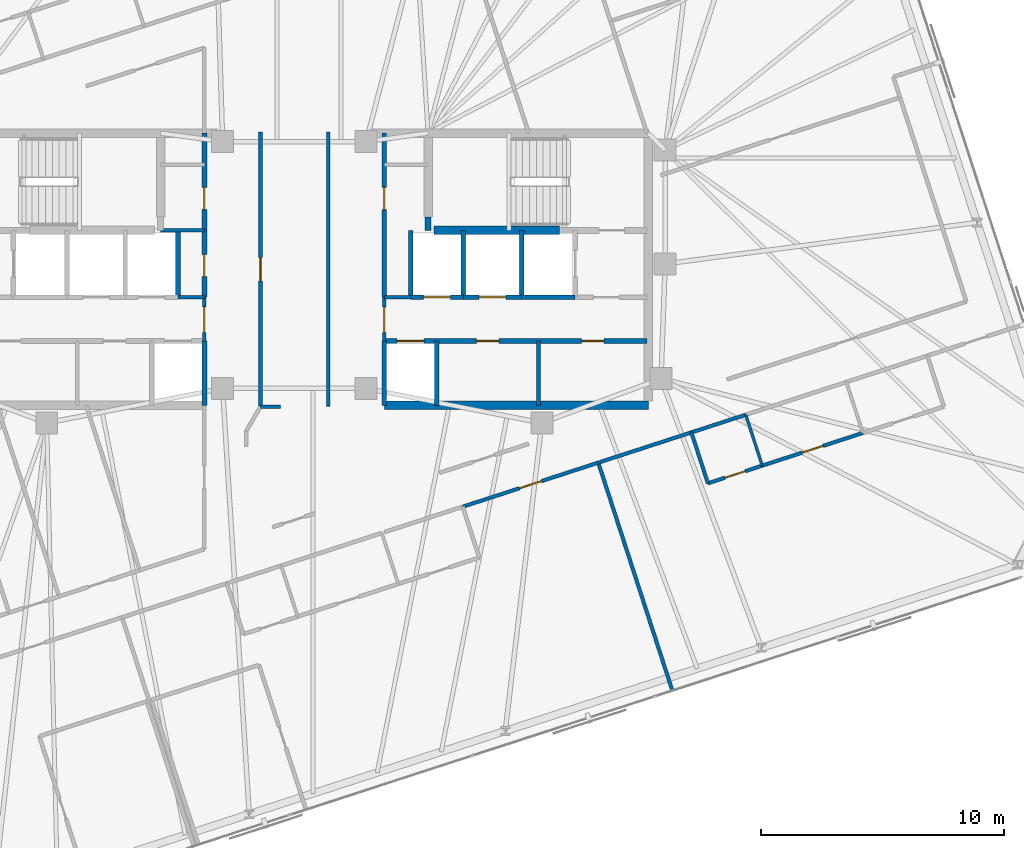
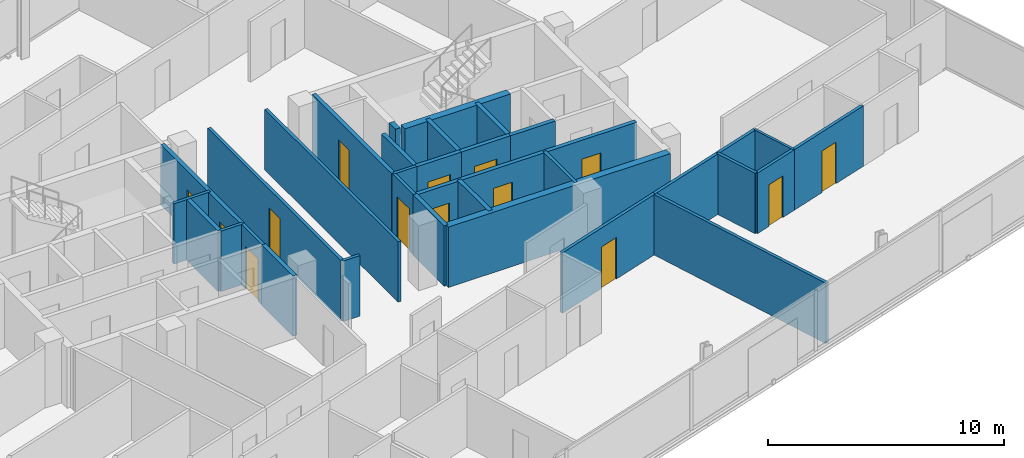
# One storey, part 15 of 20: 33 walls, 14 doors, 14 openings.
"""IFC4 building model written with IfcOpenShell, lengths in metres."""

from ifc_helpers import new_model, si_unit, direction, frame, frame_2d, origin, place, context, subcontext, project, spatial, rectangle, extrude, material, layer, layer_set, type_object, element, fill, save


model = new_model("IFC4")

# Units and contexts
model_context = context("Model", 3, precision=1e-05, world=origin(), true_north=direction((0.0, 1.0)))
body_context = subcontext(model_context, "Body", "Model", "MODEL_VIEW")
ifc_project = project(units=[si_unit("LENGTHUNIT", "METRE"), si_unit("AREAUNIT", "SQUARE_METRE"), si_unit("VOLUMEUNIT", "CUBIC_METRE"), si_unit("PLANEANGLEUNIT", "RADIAN"), si_unit("MASSUNIT", "GRAM", prefix="KILO")], contexts=[model_context])

# Site, building, storey
site_placement = place(None, origin())
site = spatial("IfcSite", under=ifc_project, at=site_placement, CompositionType="ELEMENT")
building_placement = place(site_placement, origin())
building = spatial("IfcBuilding", under=site, at=building_placement, Name="Menara Jurai Vektor", CompositionType="ELEMENT")
storey_placement = place(building_placement, frame((0.0, 0.0, 217.60009765625)))
storey = spatial("IfcBuildingStorey", under=building, at=storey_placement, Name="L57", CompositionType="ELEMENT", Elevation=217.60009765625)

# Walls
ifc_material_1 = material(Name="Concrete C40/50", Category="concrete")
ifc_layer_1 = layer(ifc_material_1, 0.25)
ifc_layer_set_1 = layer_set([ifc_layer_1], Name="Concrete C40/50")
wall_type_1 = type_object("IfcWallType", Name="INT-WALL-CORE-250", PredefinedType="STANDARD", material=ifc_layer_set_1)
wall_1_placement = place(storey_placement, frame((5.5, 1.60009765625, 0.0), z_axis=(0.0, 0.0, 1.0), x_axis=(0.0, 1.0, 0.0)))
element("IfcWall", 1, at=wall_1_placement, inside=storey, type_object=wall_type_1, Name="Interior Wall IW-250 L57", PredefinedType="STANDARD", context=body_context, shape_type="SweptSolid", body=[
    extrude(rectangle(XDim=0.5498046875, YDim=0.25, at=frame_2d((0.27490234375, 0.0))), origin(), (0.0, 0.0, 1.0), 3.125),
])
wall_2_placement = place(storey_placement, frame((9.35009765625, -1.14990234375, 0.0), z_axis=(0.0, 0.0, 1.0), x_axis=(0.0, 1.0, 0.0)))
element("IfcWall", 2, at=wall_2_placement, inside=storey, type_object=wall_type_1, Name="Interior Wall IW-250 L57", PredefinedType="STANDARD", context=body_context, shape_type="SweptSolid", body=[
    extrude(rectangle(XDim=2.75, YDim=0.199951171875, at=frame_2d((1.375, 0.0))), origin(), (0.0, 0.0, 1.0), 3.125),
])
wall_3_placement = place(storey_placement, frame((9.35009765625, -1.14990234375, 0.0), z_axis=(0.0, 0.0, 1.0), x_axis=(1.0, 0.0, 0.0)))
element("IfcWall", 3, at=wall_3_placement, inside=storey, type_object=wall_type_1, Name="Interior Wall IW-250 L57", PredefinedType="STANDARD", context=body_context, shape_type="SweptSolid", body=[
    extrude(rectangle(XDim=2.199951171875, YDim=0.199951171875, at=frame_2d((1.10009765625, 0.0))), origin(), (0.0, 0.0, 1.0), 3.125),
])

# Wall, opening, door
ifc_material_2 = material(Name="Gypsum Fireboard Partition", Category="gypsum")
ifc_layer_2 = layer(ifc_material_2, 0.14990234375)
ifc_layer_set_2 = layer_set([ifc_layer_2], Name="Gypsum Fireboard Partition")
wall_type_2 = type_object("IfcWallType", Name="INT-WALL-CORR-150", PredefinedType="PARTITIONING", material=ifc_layer_set_2)
wall_4_placement = place(storey_placement, frame((-3.699951171875, -2.949951171875, 0.0), z_axis=(0.0, 0.0, 1.0), x_axis=(0.0, 1.0, 0.0)))
wall_4 = element("IfcWall", 4, at=wall_4_placement, inside=storey, type_object=wall_type_2, Name="Interior Wall IW-150 L57", PredefinedType="PARTITIONING", context=body_context, shape_type="SweptSolid", body=[
    extrude(rectangle(XDim=1.800048828125, YDim=0.14990234375, at=frame_2d((0.89990234375, 0.0))), origin(), (0.0, 0.0, 1.0), 3.125),
])
opening_1_placement = place(wall_4_placement, frame((0.35009765625, 0.0, 0.0)))
opening_1 = element("IfcOpeningElement", 5, at=opening_1_placement, cuts=wall_4, Name="Opening D-L57-LLW", PredefinedType="OPENING", context=body_context, shape_type="SweptSolid", body=[
    extrude(rectangle(XDim=1.050048828125, YDim=2.179931640625, at=frame_2d((0.52490234375, 1.08984375))), frame((0.0, 0.0849609375, 0.0), z_axis=(0.0, -1.0, 0.0), x_axis=(1.0, 0.0, 0.0)), (0.0, 0.0, 1.0), 0.169921875),
])
ifc_material_3 = material(Name="Fire-Rated Timber Door", Category="wood")
door_type_1 = type_object("IfcDoorType", Name="DR-LOBBY-1050", OperationType="NOTDEFINED", PredefinedType="DOOR", material=ifc_material_3)
door_1_placement = place(opening_1_placement, origin())
door_1 = element("IfcDoor", 6, at=door_1_placement, inside=storey, type_object=door_type_1, Name="Lift Lobby Corridor Door W L57", OperationType="SINGLE_SWING_LEFT", OverallHeight=2.179931640625, OverallWidth=1.050048828125, PredefinedType="DOOR", context=body_context, shape_type="SweptSolid", body=[
    extrude(rectangle(XDim=1.050048828125, YDim=2.179931640625, at=frame_2d((0.52490234375, 1.08984375))), frame((0.0, 0.02490234375, 0.0), z_axis=(0.0, -1.0, 0.0), x_axis=(1.0, 0.0, 0.0)), (0.0, 0.0, 1.0), 0.050048828125),
])
fill(opening_1, door_1)

# Wall
wall_5_placement = place(storey_placement, frame((-4.7900390625, -1.14990234375, 0.0), z_axis=(0.0, 0.0, 1.0), x_axis=(1.0, 0.0, 0.0)))
element("IfcWall", 7, at=wall_5_placement, inside=storey, type_object=wall_type_2, Name="Interior Wall IW-150 L57", PredefinedType="PARTITIONING", context=body_context, shape_type="SweptSolid", body=[
    extrude(rectangle(XDim=1.090087890625, YDim=0.14990234375, at=frame_2d((0.544921875, 0.0))), origin(), (0.0, 0.0, 1.0), 3.125),
])

# Wall, opening, door
wall_6_placement = place(storey_placement, frame((3.699951171875, -2.949951171875, 0.0), z_axis=(0.0, 0.0, 1.0), x_axis=(0.0, 1.0, 0.0)))
wall_6 = element("IfcWall", 8, at=wall_6_placement, inside=storey, type_object=wall_type_2, Name="Interior Wall IW-150 L57", PredefinedType="PARTITIONING", context=body_context, shape_type="SweptSolid", body=[
    extrude(rectangle(XDim=1.800048828125, YDim=0.14990234375, at=frame_2d((0.89990234375, 0.0))), origin(), (0.0, 0.0, 1.0), 3.125),
])
opening_2_placement = place(wall_6_placement, frame((0.35009765625, 0.0, 0.0)))
opening_2 = element("IfcOpeningElement", 9, at=opening_2_placement, cuts=wall_6, Name="Opening D-L57-LLE", PredefinedType="OPENING", context=body_context, shape_type="SweptSolid", body=[
    extrude(rectangle(XDim=1.050048828125, YDim=2.179931640625, at=frame_2d((0.52490234375, 1.08984375))), frame((0.0, 0.0849609375, 0.0), z_axis=(0.0, -1.0, 0.0), x_axis=(1.0, 0.0, 0.0)), (0.0, 0.0, 1.0), 0.169921875),
])
door_2_placement = place(opening_2_placement, frame((1.050048828125, 0.0, 0.0), z_axis=(0.0, 0.0, 1.0), x_axis=(-1.0, 0.0, 0.0)))
door_2 = element("IfcDoor", 10, at=door_2_placement, inside=storey, type_object=door_type_1, Name="Lift Lobby Corridor Door E L57", OperationType="SINGLE_SWING_RIGHT", OverallHeight=2.179931640625, OverallWidth=1.050048828125, PredefinedType="DOOR", context=body_context, shape_type="SweptSolid", body=[
    extrude(rectangle(XDim=1.050048828125, YDim=2.179931640625, at=frame_2d((0.52490234375, 1.08984375))), frame((0.0, 0.02490234375, 0.0), z_axis=(0.0, -1.0, 0.0), x_axis=(1.0, 0.0, 0.0)), (0.0, 0.0, 1.0), 0.050048828125),
])
fill(opening_2, door_2)

# Walls
wall_7_placement = place(storey_placement, frame((3.699951171875, -1.14990234375, 0.0), z_axis=(0.0, 0.0, 1.0), x_axis=(1.0, 0.0, 0.0)))
element("IfcWall", 11, at=wall_7_placement, inside=storey, type_object=wall_type_2, Name="Interior Wall IW-150 L57", PredefinedType="PARTITIONING", context=body_context, shape_type="SweptSolid", body=[
    extrude(rectangle(XDim=1.090087890625, YDim=0.14990234375, at=frame_2d((0.544921875, 0.0))), origin(), (0.0, 0.0, 1.0), 3.125),
])
wall_8_placement = place(storey_placement, frame((-5.5, 1.60009765625, 0.0), z_axis=(0.0, 0.0, 1.0), x_axis=(1.0, 0.0, 0.0)))
element("IfcWall", 12, at=wall_8_placement, inside=storey, type_object=wall_type_2, Name="Interior Wall IW-150 L57", PredefinedType="PARTITIONING", context=body_context, shape_type="SweptSolid", body=[
    extrude(rectangle(XDim=1.800048828125, YDim=0.14990234375, at=frame_2d((0.89990234375, 0.0))), origin(), (0.0, 0.0, 1.0), 3.125),
])
wall_9_placement = place(storey_placement, frame((10.0400390625, -5.60009765625, 0.0), z_axis=(0.0, 0.0, 1.0), x_axis=(0.0, 1.0, 0.0)))
element("IfcWall", 13, at=wall_9_placement, inside=storey, type_object=wall_type_2, Name="Interior Wall IW-150 L57", PredefinedType="PARTITIONING", context=body_context, shape_type="SweptSolid", body=[
    extrude(rectangle(XDim=2.650146484375, YDim=0.14990234375, at=frame_2d((1.3251953125, 0.0))), origin(), (0.0, 0.0, 1.0), 3.125),
])

# Wall, opening, door
wall_10_placement = place(storey_placement, frame((-1.390625, -5.650146484375, 0.0), z_axis=(0.0, 0.0, 1.0), x_axis=(-8.6422954e-05, 0.999999996266, 0.0)))
wall_10 = element("IfcWall", 14, at=wall_10_placement, inside=storey, type_object=wall_type_2, Name="Interior Wall IW-150 L57", PredefinedType="PARTITIONING", context=body_context, shape_type="SweptSolid", body=[
    extrude(rectangle(XDim=11.2998046875, YDim=0.14990234375, at=frame_2d((5.64990234375, 0.0))), origin(), (0.0, 0.0, 1.0), 3.125),
])
opening_3_placement = place(wall_10_placement, frame((5.1748046875, 0.0, 0.0)))
opening_3 = element("IfcOpeningElement", 15, at=opening_3_placement, cuts=wall_10, Name="Opening D57-08", PredefinedType="OPENING", context=body_context, shape_type="SweptSolid", body=[
    extrude(rectangle(XDim=0.949951171875, YDim=2.14990234375, at=frame_2d((0.47509765625, 1.074951171875))), frame((0.0, 0.0849609375, 0.0), z_axis=(0.0, -1.0, 0.0), x_axis=(1.0, 0.0, 0.0)), (0.0, 0.0, 1.0), 0.169921875),
])
ifc_material_4 = material(Name="Solid Core Timber Fire Door", Category="wood")
door_type_2 = type_object("IfcDoorType", Name="DR-ENTRY-950", OperationType="NOTDEFINED", PredefinedType="DOOR", material=ifc_material_4)
door_3_placement = place(opening_3_placement, origin())
door_3 = element("IfcDoor", 16, at=door_3_placement, inside=storey, type_object=door_type_2, Name="Interior Door D57-08", OperationType="SINGLE_SWING_LEFT", OverallHeight=2.14990234375, OverallWidth=0.949951171875, PredefinedType="DOOR", context=body_context, shape_type="SweptSolid", body=[
    extrude(rectangle(XDim=0.949951171875, YDim=2.14990234375, at=frame_2d((0.47509765625, 1.074951171875))), frame((0.0, 0.02490234375, 0.0), z_axis=(0.0, -1.0, 0.0), x_axis=(1.0, 0.0, 0.0)), (0.0, 0.0, 1.0), 0.050048828125),
])
fill(opening_3, door_3)

# Wall
wall_11_placement = place(storey_placement, frame((1.39111328125, -5.6484375, 0.0), z_axis=(0.0, 0.0, 1.0), x_axis=(-4.3218947e-05, 0.999999999066, 0.0)))
element("IfcWall", 17, at=wall_11_placement, inside=storey, type_object=wall_type_2, Name="Interior Wall IW-150 L57", PredefinedType="PARTITIONING", context=body_context, shape_type="SweptSolid", body=[
    extrude(rectangle(XDim=11.2978515625, YDim=0.14990234375, at=frame_2d((5.64892578125, 0.0))), origin(), (0.0, 0.0, 1.0), 3.125),
])

# Wall, opening, door
wall_12_placement = place(storey_placement, frame((6.92578125, -9.7646484375, 0.0), z_axis=(0.0, 0.0, 1.0), x_axis=(0.951054878391, 0.30902203528, 0.0)))
wall_12 = element("IfcWall", 18, at=wall_12_placement, inside=storey, type_object=wall_type_2, Name="Interior Wall IW-150 L57", PredefinedType="PARTITIONING", context=body_context, shape_type="SweptSolid", body=[
    extrude(rectangle(XDim=5.862060546875, YDim=0.14990234375, at=frame_2d((2.93115234375, 0.0))), origin(), (0.0, 0.0, 1.0), 3.125),
])
opening_4_placement = place(wall_12_placement, frame((2.4560546875, 0.0, 0.0)))
opening_4 = element("IfcOpeningElement", 19, at=opening_4_placement, cuts=wall_12, Name="Opening D57-29", PredefinedType="OPENING", context=body_context, shape_type="SweptSolid", body=[
    extrude(rectangle(XDim=0.949951171875, YDim=2.14990234375, at=frame_2d((0.47509765625, 1.074951171875))), frame((0.0, 0.0849609375, 0.0), z_axis=(0.0, -1.0, 0.0), x_axis=(1.0, 0.0, 0.0)), (0.0, 0.0, 1.0), 0.169921875),
])
door_4_placement = place(opening_4_placement, origin())
door_4 = element("IfcDoor", 20, at=door_4_placement, inside=storey, type_object=door_type_2, Name="Interior Door D57-29", OperationType="SINGLE_SWING_RIGHT", OverallHeight=2.14990234375, OverallWidth=0.949951171875, PredefinedType="DOOR", context=body_context, shape_type="SweptSolid", body=[
    extrude(rectangle(XDim=0.949951171875, YDim=2.14990234375, at=frame_2d((0.47509765625, 1.074951171875))), frame((0.0, 0.02490234375, 0.0), z_axis=(0.0, -1.0, 0.0), x_axis=(1.0, 0.0, 0.0)), (0.0, 0.0, 1.0), 0.050048828125),
])
fill(opening_4, door_4)

# Walls
wall_13_placement = place(storey_placement, frame((12.5009765625, -7.953125, 0.0), z_axis=(0.0, 0.0, 1.0), x_axis=(0.951046103464, 0.309049039936, 0.0)))
element("IfcWall", 21, at=wall_13_placement, inside=storey, type_object=wall_type_2, Name="Interior Wall IW-150 L57", PredefinedType="PARTITIONING", context=body_context, shape_type="SweptSolid", body=[
    extrude(rectangle(XDim=4.02490234375, YDim=0.14990234375, at=frame_2d((2.012451171875, 0.0))), origin(), (0.0, 0.0, 1.0), 3.125),
])
wall_14_placement = place(storey_placement, frame((16.328857421875, -6.709228515625, 0.0), z_axis=(0.0, 0.0, 1.0), x_axis=(0.951076048914, 0.308956872689, 0.0)))
element("IfcWall", 22, at=wall_14_placement, inside=storey, type_object=wall_type_2, Name="Interior Wall IW-150 L57", PredefinedType="PARTITIONING", context=body_context, shape_type="SweptSolid", body=[
    extrude(rectangle(XDim=2.35009765625, YDim=0.14990234375, at=frame_2d((1.175048828125, 0.0))), origin(), (0.0, 0.0, 1.0), 3.125),
])
wall_15_placement = place(storey_placement, frame((-1.390625, -5.650146484375, 0.0), z_axis=(0.0, 0.0, 1.0), x_axis=(0.999999954883, 0.000300390494, 0.0)))
element("IfcWall", 23, at=wall_15_placement, inside=storey, type_object=wall_type_2, Name="Interior Wall IW-150 L57", PredefinedType="PARTITIONING", context=body_context, shape_type="SweptSolid", body=[
    extrude(rectangle(XDim=0.812744140625, YDim=0.14990234375, at=frame_2d((0.40625, 0.0))), origin(), (0.0, 0.0, 1.0), 3.125),
])
wall_16_placement = place(storey_placement, frame((15.54833984375, -17.33251953125, 0.0), z_axis=(0.0, 0.0, 1.0), x_axis=(-0.308999867152, 0.951062081097, 0.0)))
element("IfcWall", 24, at=wall_16_placement, inside=storey, type_object=wall_type_2, Name="Interior Wall IW-150 L57", PredefinedType="PARTITIONING", context=body_context, shape_type="SweptSolid", body=[
    extrude(rectangle(XDim=9.862060546875, YDim=0.14990234375, at=frame_2d((4.93115234375, 0.0))), origin(), (0.0, 0.0, 1.0), 3.125),
])
wall_17_placement = place(storey_placement, frame((17.0087890625, -8.8017578125, 0.0), z_axis=(0.0, 0.0, 1.0), x_axis=(-0.309028364152, 0.951052821956, 0.0)))
element("IfcWall", 25, at=wall_17_placement, inside=storey, type_object=wall_type_2, Name="Interior Wall IW-150 L57", PredefinedType="PARTITIONING", context=body_context, shape_type="SweptSolid", body=[
    extrude(rectangle(XDim=2.2001953125, YDim=0.14990234375, at=frame_2d((1.10009765625, 0.0))), origin(), (0.0, 0.0, 1.0), 3.125),
])

# Wall, opening, door
wall_18_placement = place(storey_placement, frame((17.0087890625, -8.8017578125, 0.0), z_axis=(0.0, 0.0, 1.0), x_axis=(0.951035595692, 0.309081373955, 0.0)))
wall_18 = element("IfcWall", 26, at=wall_18_placement, inside=storey, type_object=wall_type_2, Name="Interior Wall IW-150 L57", PredefinedType="PARTITIONING", context=body_context, shape_type="SweptSolid", body=[
    extrude(rectangle(XDim=2.349853515625, YDim=0.14990234375, at=frame_2d((1.1748046875, 0.0))), origin(), (0.0, 0.0, 1.0), 3.125),
])
opening_5_placement = place(wall_18_placement, frame((0.735107421875, 0.0, 0.0)))
opening_5 = element("IfcOpeningElement", 27, at=opening_5_placement, cuts=wall_18, Name="Opening D57-35", PredefinedType="OPENING", context=body_context, shape_type="SweptSolid", body=[
    extrude(rectangle(XDim=0.8798828125, YDim=2.14990234375, at=frame_2d((0.43994140625, 1.074951171875))), frame((0.0, 0.0849609375, 0.0), z_axis=(0.0, -1.0, 0.0), x_axis=(1.0, 0.0, 0.0)), (0.0, 0.0, 1.0), 0.169921875),
])
ifc_material_5 = material(Name="Moisture-Resistant Timber Door", Category="wood")
door_type_3 = type_object("IfcDoorType", Name="DR-BATH-880", OperationType="NOTDEFINED", PredefinedType="DOOR", material=ifc_material_5)
door_5_placement = place(opening_5_placement, origin())
door_5 = element("IfcDoor", 28, at=door_5_placement, inside=storey, type_object=door_type_3, Name="Interior Door D57-35", OperationType="SINGLE_SWING_RIGHT", OverallHeight=2.14990234375, OverallWidth=0.8798828125, PredefinedType="DOOR", context=body_context, shape_type="SweptSolid", body=[
    extrude(rectangle(XDim=0.8798828125, YDim=2.14990234375, at=frame_2d((0.43994140625, 1.074951171875))), frame((0.0, 0.02490234375, 0.0), z_axis=(0.0, -1.0, 0.0), x_axis=(1.0, 0.0, 0.0)), (0.0, 0.0, 1.0), 0.050048828125),
])
fill(opening_5, door_5)

wall_19_placement = place(storey_placement, frame((19.24365234375, -8.075439453125, 0.0), z_axis=(0.0, 0.0, 1.0), x_axis=(0.951057987102, 0.309012467661, 0.0)))
wall_19 = element("IfcWall", 29, at=wall_19_placement, inside=storey, type_object=wall_type_2, Name="Interior Wall IW-150 L57", PredefinedType="PARTITIONING", context=body_context, shape_type="SweptSolid", body=[
    extrude(rectangle(XDim=4.35009765625, YDim=0.14990234375, at=frame_2d((2.175048828125, 0.0))), origin(), (0.0, 0.0, 1.0), 3.125),
])
opening_6_placement = place(wall_19_placement, frame((1.72509765625, 0.0, 0.0)))
opening_6 = element("IfcOpeningElement", 30, at=opening_6_placement, cuts=wall_19, Name="Opening D57-36", PredefinedType="OPENING", context=body_context, shape_type="SweptSolid", body=[
    extrude(rectangle(XDim=0.89990234375, YDim=2.14990234375, at=frame_2d((0.449951171875, 1.074951171875))), frame((0.0, 0.0849609375, 0.0), z_axis=(0.0, -1.0, 0.0), x_axis=(1.0, 0.0, 0.0)), (0.0, 0.0, 1.0), 0.169921875),
])
ifc_material_6 = material(Name="Acoustic Timber Interior Door", Category="wood")
door_type_4 = type_object("IfcDoorType", Name="DR-ROOM-900", OperationType="NOTDEFINED", PredefinedType="DOOR", material=ifc_material_6)
door_6_placement = place(opening_6_placement, origin())
door_6 = element("IfcDoor", 31, at=door_6_placement, inside=storey, type_object=door_type_4, Name="Interior Door D57-36", OperationType="SINGLE_SWING_LEFT", OverallHeight=2.14990234375, OverallWidth=0.89990234375, PredefinedType="DOOR", context=body_context, shape_type="SweptSolid", body=[
    extrude(rectangle(XDim=0.89990234375, YDim=2.14990234375, at=frame_2d((0.449951171875, 1.074951171875))), frame((0.0, 0.02490234375, 0.0), z_axis=(0.0, -1.0, 0.0), x_axis=(1.0, 0.0, 0.0)), (0.0, 0.0, 1.0), 0.050048828125),
])
fill(opening_6, door_6)

# Wall
ifc_material_7 = material(Name="Gypsum Acoustic Stud Partition", Category="gypsum")
ifc_layer_3 = layer(ifc_material_7, 0.1201171875)
ifc_layer_set_3 = layer_set([ifc_layer_3], Name="Gypsum Acoustic Stud Partition")
wall_type_3 = type_object("IfcWallType", Name="INT-WALL-PART-120", PredefinedType="PARTITIONING", material=ifc_layer_set_3)
wall_20_placement = place(storey_placement, frame((19.24365234375, -8.075439453125, 0.0), z_axis=(0.0, 0.0, 1.0), x_axis=(-0.308960600764, 0.951074837842, 0.0)))
element("IfcWall", 32, at=wall_20_placement, inside=storey, type_object=wall_type_3, Name="Interior Wall IW-120 L57", PredefinedType="PARTITIONING", context=body_context, shape_type="SweptSolid", body=[
    extrude(rectangle(XDim=2.199951171875, YDim=0.1201171875, at=frame_2d((1.10009765625, 0.0))), origin(), (0.0, 0.0, 1.0), 3.125),
])

# Wall, openings, doors
ifc_layer_4 = layer(ifc_material_1, 0.199951171875)
ifc_layer_set_4 = layer_set([ifc_layer_4], Name="Concrete C40/50")
wall_type_4 = type_object("IfcWallType", Name="INT-WALL-SHAFT-200", PredefinedType="STANDARD", material=ifc_layer_set_4)
wall_21_placement = place(storey_placement, frame((-3.699951171875, -1.14990234375, 0.0), z_axis=(0.0, 0.0, 1.0), x_axis=(0.0, 1.0, 0.0)))
wall_21 = element("IfcWall", 33, at=wall_21_placement, inside=storey, type_object=wall_type_4, Name="Interior Wall IW-200 L57", PredefinedType="STANDARD", context=body_context, shape_type="SweptSolid", body=[
    extrude(rectangle(XDim=6.75, YDim=0.199951171875, at=frame_2d((3.375, 0.0))), origin(), (0.0, 0.0, 1.0), 3.125),
])
opening_7_placement = place(wall_21_placement, frame((3.60009765625, 0.0, 0.0)))
opening_7 = element("IfcOpeningElement", 34, at=opening_7_placement, cuts=wall_21, Name="Opening D57-03", PredefinedType="OPENING", context=body_context, shape_type="SweptSolid", body=[
    extrude(rectangle(XDim=0.919921875, YDim=2.14990234375, at=frame_2d((0.4599609375, 1.074951171875))), frame((0.0, 0.10986328125, 0.0), z_axis=(0.0, -1.0, 0.0), x_axis=(1.0, 0.0, 0.0)), (0.0, 0.0, 1.0), 0.219970703125),
])
opening_8_placement = place(wall_21_placement, frame((0.85009765625, 0.0, 0.0)))
opening_8 = element("IfcOpeningElement", 35, at=opening_8_placement, cuts=wall_21, Name="Opening D57-04", PredefinedType="OPENING", context=body_context, shape_type="SweptSolid", body=[
    extrude(rectangle(XDim=0.89990234375, YDim=2.14990234375, at=frame_2d((0.449951171875, 1.074951171875))), frame((0.0, 0.10986328125, 0.0), z_axis=(0.0, -1.0, 0.0), x_axis=(1.0, 0.0, 0.0)), (0.0, 0.0, 1.0), 0.219970703125),
])
door_7_placement = place(opening_7_placement, origin())
door_7 = element("IfcDoor", 36, at=door_7_placement, inside=storey, type_object=door_type_2, Name="Interior Door D57-03", OperationType="SINGLE_SWING_LEFT", OverallHeight=2.14990234375, OverallWidth=0.919921875, PredefinedType="DOOR", context=body_context, shape_type="SweptSolid", body=[
    extrude(rectangle(XDim=0.919921875, YDim=2.14990234375, at=frame_2d((0.4599609375, 1.074951171875))), frame((0.0, 0.02490234375, 0.0), z_axis=(0.0, -1.0, 0.0), x_axis=(1.0, 0.0, 0.0)), (0.0, 0.0, 1.0), 0.050048828125),
])
fill(opening_7, door_7)
door_8_placement = place(opening_8_placement, origin())
door_8 = element("IfcDoor", 37, at=door_8_placement, inside=storey, type_object=door_type_2, Name="Interior Door D57-04", OperationType="SINGLE_SWING_LEFT", OverallHeight=2.14990234375, OverallWidth=0.89990234375, PredefinedType="DOOR", context=body_context, shape_type="SweptSolid", body=[
    extrude(rectangle(XDim=0.89990234375, YDim=2.14990234375, at=frame_2d((0.449951171875, 1.074951171875))), frame((0.0, 0.02490234375, 0.0), z_axis=(0.0, -1.0, 0.0), x_axis=(1.0, 0.0, 0.0)), (0.0, 0.0, 1.0), 0.050048828125),
])
fill(opening_8, door_8)

# Walls
wall_22_placement = place(storey_placement, frame((-3.699951171875, -5.60009765625, 0.0), z_axis=(0.0, 0.0, 1.0), x_axis=(0.0, 1.0, 0.0)))
element("IfcWall", 38, at=wall_22_placement, inside=storey, type_object=wall_type_4, Name="Interior Wall IW-200 L57", PredefinedType="STANDARD", context=body_context, shape_type="SweptSolid", body=[
    extrude(rectangle(XDim=2.650146484375, YDim=0.199951171875, at=frame_2d((1.3251953125, 0.0))), origin(), (0.0, 0.0, 1.0), 3.125),
])
wall_23_placement = place(storey_placement, frame((-4.7900390625, -1.14990234375, 0.0), z_axis=(0.0, 0.0, 1.0), x_axis=(0.0, 1.0, 0.0)))
element("IfcWall", 39, at=wall_23_placement, inside=storey, type_object=wall_type_4, Name="Interior Wall IW-200 L57", PredefinedType="STANDARD", context=body_context, shape_type="SweptSolid", body=[
    extrude(rectangle(XDim=2.75, YDim=0.199951171875, at=frame_2d((1.375, 0.0))), origin(), (0.0, 0.0, 1.0), 3.125),
])

# Wall, opening, door
wall_24_placement = place(storey_placement, frame((3.699951171875, -1.14990234375, 0.0), z_axis=(0.0, 0.0, 1.0), x_axis=(0.0, 1.0, 0.0)))
wall_24 = element("IfcWall", 40, at=wall_24_placement, inside=storey, type_object=wall_type_4, Name="Interior Wall IW-200 L57", PredefinedType="STANDARD", context=body_context, shape_type="SweptSolid", body=[
    extrude(rectangle(XDim=6.75, YDim=0.199951171875, at=frame_2d((3.375, 0.0))), origin(), (0.0, 0.0, 1.0), 3.125),
])
opening_9_placement = place(wall_24_placement, frame((3.60009765625, 0.0, 0.0)))
opening_9 = element("IfcOpeningElement", 41, at=opening_9_placement, cuts=wall_24, Name="Opening D57-07", PredefinedType="OPENING", context=body_context, shape_type="SweptSolid", body=[
    extrude(rectangle(XDim=0.919921875, YDim=2.14990234375, at=frame_2d((0.4599609375, 1.074951171875))), frame((0.0, 0.10986328125, 0.0), z_axis=(0.0, -1.0, 0.0), x_axis=(1.0, 0.0, 0.0)), (0.0, 0.0, 1.0), 0.219970703125),
])
door_9_placement = place(opening_9_placement, origin())
door_9 = element("IfcDoor", 42, at=door_9_placement, inside=storey, type_object=door_type_2, Name="Interior Door D57-07", OperationType="SINGLE_SWING_RIGHT", OverallHeight=2.14990234375, OverallWidth=0.919921875, PredefinedType="DOOR", context=body_context, shape_type="SweptSolid", body=[
    extrude(rectangle(XDim=0.919921875, YDim=2.14990234375, at=frame_2d((0.4599609375, 1.074951171875))), frame((0.0, 0.02490234375, 0.0), z_axis=(0.0, -1.0, 0.0), x_axis=(1.0, 0.0, 0.0)), (0.0, 0.0, 1.0), 0.050048828125),
])
fill(opening_9, door_9)

# Walls
wall_25_placement = place(storey_placement, frame((3.699951171875, -5.60009765625, 0.0), z_axis=(0.0, 0.0, 1.0), x_axis=(0.0, 1.0, 0.0)))
element("IfcWall", 43, at=wall_25_placement, inside=storey, type_object=wall_type_4, Name="Interior Wall IW-200 L57", PredefinedType="STANDARD", context=body_context, shape_type="SweptSolid", body=[
    extrude(rectangle(XDim=2.650146484375, YDim=0.199951171875, at=frame_2d((1.3251953125, 0.0))), origin(), (0.0, 0.0, 1.0), 3.125),
])
wall_26_placement = place(storey_placement, frame((6.949951171875, -1.14990234375, 0.0), z_axis=(0.0, 0.0, 1.0), x_axis=(0.0, 1.0, 0.0)))
element("IfcWall", 44, at=wall_26_placement, inside=storey, type_object=wall_type_4, Name="Interior Wall IW-200 L57", PredefinedType="STANDARD", context=body_context, shape_type="SweptSolid", body=[
    extrude(rectangle(XDim=2.75, YDim=0.199951171875, at=frame_2d((1.375, 0.0))), origin(), (0.0, 0.0, 1.0), 3.125),
])

# Wall, opening, door
wall_27_placement = place(storey_placement, frame((6.949951171875, -1.14990234375, 0.0), z_axis=(0.0, 0.0, 1.0), x_axis=(1.0, 0.0, 0.0)))
wall_27 = element("IfcWall", 45, at=wall_27_placement, inside=storey, type_object=wall_type_4, Name="Interior Wall IW-200 L57", PredefinedType="STANDARD", context=body_context, shape_type="SweptSolid", body=[
    extrude(rectangle(XDim=2.400146484375, YDim=0.199951171875, at=frame_2d((1.2001953125, 0.0))), origin(), (0.0, 0.0, 1.0), 3.125),
])
opening_10_placement = place(wall_27_placement, frame((0.64990234375, 0.0, 0.0)))
opening_10 = element("IfcOpeningElement", 46, at=opening_10_placement, cuts=wall_27, Name="Opening LD-L57-SVL2", PredefinedType="OPENING", context=body_context, shape_type="SweptSolid", body=[
    extrude(rectangle(XDim=1.10009765625, YDim=2.14990234375, at=frame_2d((0.550048828125, 1.074951171875))), frame((0.0, 0.10986328125, 0.0), z_axis=(0.0, -1.0, 0.0), x_axis=(1.0, 0.0, 0.0)), (0.0, 0.0, 1.0), 0.219970703125),
])
ifc_material_8 = material(Name="Anodised Stainless Sliding Lift Landing Door", Category="steel")
door_type_5 = type_object("IfcDoorType", Name="DR-LIFT-PASS-1100", OperationType="NOTDEFINED", PredefinedType="DOOR", material=ifc_material_8)
door_10_placement = place(opening_10_placement, origin())
door_10 = element("IfcDoor", 47, at=door_10_placement, inside=storey, type_object=door_type_5, Name="Lift Landing Door SVL2 L57", OperationType="SLIDING_TO_RIGHT", OverallHeight=2.14990234375, OverallWidth=1.10009765625, PredefinedType="DOOR", context=body_context, shape_type="SweptSolid", body=[
    extrude(rectangle(XDim=1.10009765625, YDim=2.14990234375, at=frame_2d((0.550048828125, 1.074951171875))), frame((0.0, 0.02490234375, 0.0), z_axis=(0.0, -1.0, 0.0), x_axis=(1.0, 0.0, 0.0)), (0.0, 0.0, 1.0), 0.050048828125),
])
fill(opening_10, door_10)

# Wall
wall_28_placement = place(storey_placement, frame((4.7900390625, -1.14990234375, 0.0), z_axis=(0.0, 0.0, 1.0), x_axis=(0.0, 1.0, 0.0)))
element("IfcWall", 48, at=wall_28_placement, inside=storey, type_object=wall_type_4, Name="Interior Wall IW-200 L57", PredefinedType="STANDARD", context=body_context, shape_type="SweptSolid", body=[
    extrude(rectangle(XDim=2.75, YDim=0.199951171875, at=frame_2d((1.375, 0.0))), origin(), (0.0, 0.0, 1.0), 3.125),
])

# Wall, opening, door
wall_29_placement = place(storey_placement, frame((4.7900390625, -1.14990234375, 0.0), z_axis=(0.0, 0.0, 1.0), x_axis=(1.0, 0.0, 0.0)))
wall_29 = element("IfcWall", 49, at=wall_29_placement, inside=storey, type_object=wall_type_4, Name="Interior Wall IW-200 L57", PredefinedType="STANDARD", context=body_context, shape_type="SweptSolid", body=[
    extrude(rectangle(XDim=2.159912109375, YDim=0.199951171875, at=frame_2d((1.080078125, 0.0))), origin(), (0.0, 0.0, 1.0), 3.125),
])
opening_11_placement = place(wall_29_placement, frame((0.530029296875, 0.0, 0.0)))
opening_11 = element("IfcOpeningElement", 50, at=opening_11_placement, cuts=wall_29, Name="Opening LD-L57-PH4", PredefinedType="OPENING", context=body_context, shape_type="SweptSolid", body=[
    extrude(rectangle(XDim=1.10009765625, YDim=2.14990234375, at=frame_2d((0.550048828125, 1.074951171875))), frame((0.0, 0.10986328125, 0.0), z_axis=(0.0, -1.0, 0.0), x_axis=(1.0, 0.0, 0.0)), (0.0, 0.0, 1.0), 0.219970703125),
])
door_11_placement = place(opening_11_placement, origin())
door_11 = element("IfcDoor", 51, at=door_11_placement, inside=storey, type_object=door_type_5, Name="Lift Landing Door PH4 L57", OperationType="SLIDING_TO_LEFT", OverallHeight=2.14990234375, OverallWidth=1.10009765625, PredefinedType="DOOR", context=body_context, shape_type="SweptSolid", body=[
    extrude(rectangle(XDim=1.10009765625, YDim=2.14990234375, at=frame_2d((0.550048828125, 1.074951171875))), frame((0.0, 0.02490234375, 0.0), z_axis=(0.0, -1.0, 0.0), x_axis=(1.0, 0.0, 0.0)), (0.0, 0.0, 1.0), 0.050048828125),
])
fill(opening_11, door_11)

# Wall, openings, doors
wall_30_placement = place(storey_placement, frame((3.699951171875, -2.949951171875, 0.0), z_axis=(0.0, 0.0, 1.0), x_axis=(1.0, 0.0, 0.0)))
wall_30 = element("IfcWall", 52, at=wall_30_placement, inside=storey, type_object=wall_type_4, Name="Interior Wall IW-200 L57", PredefinedType="STANDARD", context=body_context, shape_type="SweptSolid", body=[
    extrude(rectangle(XDim=10.800048828125, YDim=0.199951171875, at=frame_2d((5.39990234375, 0.0))), origin(), (0.0, 0.0, 1.0), 3.125),
])
opening_12_placement = place(wall_30_placement, frame((0.530029296875, 0.0, 0.0)))
opening_12 = element("IfcOpeningElement", 53, at=opening_12_placement, cuts=wall_30, Name="Opening LD-L57-PH3", PredefinedType="OPENING", context=body_context, shape_type="SweptSolid", body=[
    extrude(rectangle(XDim=1.10009765625, YDim=2.14990234375, at=frame_2d((0.550048828125, 1.074951171875))), frame((0.0, 0.10986328125, 0.0), z_axis=(0.0, -1.0, 0.0), x_axis=(1.0, 0.0, 0.0)), (0.0, 0.0, 1.0), 0.219970703125),
])
opening_13_placement = place(wall_30_placement, frame((3.7900390625, 0.0, 0.0)))
opening_13 = element("IfcOpeningElement", 54, at=opening_13_placement, cuts=wall_30, Name="Opening D57-05", PredefinedType="OPENING", context=body_context, shape_type="SweptSolid", body=[
    extrude(rectangle(XDim=0.919921875, YDim=2.14990234375, at=frame_2d((0.4599609375, 1.074951171875))), frame((0.0, 0.10986328125, 0.0), z_axis=(0.0, -1.0, 0.0), x_axis=(1.0, 0.0, 0.0)), (0.0, 0.0, 1.0), 0.219970703125),
])
opening_14_placement = place(wall_30_placement, frame((8.110107421875, 0.0, 0.0)))
opening_14 = element("IfcOpeningElement", 55, at=opening_14_placement, cuts=wall_30, Name="Opening D57-06", PredefinedType="OPENING", context=body_context, shape_type="SweptSolid", body=[
    extrude(rectangle(XDim=0.919921875, YDim=2.14990234375, at=frame_2d((0.4599609375, 1.074951171875))), frame((0.0, 0.10986328125, 0.0), z_axis=(0.0, -1.0, 0.0), x_axis=(1.0, 0.0, 0.0)), (0.0, 0.0, 1.0), 0.219970703125),
])
door_12_placement = place(opening_13_placement, origin())
door_12 = element("IfcDoor", 56, at=door_12_placement, inside=storey, type_object=door_type_2, Name="Interior Door D57-05", OperationType="SINGLE_SWING_LEFT", OverallHeight=2.14990234375, OverallWidth=0.919921875, PredefinedType="DOOR", context=body_context, shape_type="SweptSolid", body=[
    extrude(rectangle(XDim=0.919921875, YDim=2.14990234375, at=frame_2d((0.4599609375, 1.074951171875))), frame((0.0, 0.02490234375, 0.0), z_axis=(0.0, -1.0, 0.0), x_axis=(1.0, 0.0, 0.0)), (0.0, 0.0, 1.0), 0.050048828125),
])
fill(opening_13, door_12)
door_13_placement = place(opening_14_placement, origin())
door_13 = element("IfcDoor", 57, at=door_13_placement, inside=storey, type_object=door_type_2, Name="Interior Door D57-06", OperationType="SINGLE_SWING_RIGHT", OverallHeight=2.14990234375, OverallWidth=0.919921875, PredefinedType="DOOR", context=body_context, shape_type="SweptSolid", body=[
    extrude(rectangle(XDim=0.919921875, YDim=2.14990234375, at=frame_2d((0.4599609375, 1.074951171875))), frame((0.0, 0.02490234375, 0.0), z_axis=(0.0, -1.0, 0.0), x_axis=(1.0, 0.0, 0.0)), (0.0, 0.0, 1.0), 0.050048828125),
])
fill(opening_14, door_13)
door_14_placement = place(opening_12_placement, origin())
door_14 = element("IfcDoor", 58, at=door_14_placement, inside=storey, type_object=door_type_5, Name="Lift Landing Door PH3 L57", OperationType="SLIDING_TO_RIGHT", OverallHeight=2.14990234375, OverallWidth=1.10009765625, PredefinedType="DOOR", context=body_context, shape_type="SweptSolid", body=[
    extrude(rectangle(XDim=1.10009765625, YDim=2.14990234375, at=frame_2d((0.550048828125, 1.074951171875))), frame((0.0, 0.02490234375, 0.0), z_axis=(0.0, -1.0, 0.0), x_axis=(1.0, 0.0, 0.0)), (0.0, 0.0, 1.0), 0.050048828125),
])
fill(opening_12, door_14)

# Walls
wall_31_placement = place(storey_placement, frame((5.860107421875, -5.60009765625, 0.0), z_axis=(0.0, 0.0, 1.0), x_axis=(0.0, 1.0, 0.0)))
element("IfcWall", 59, at=wall_31_placement, inside=storey, type_object=wall_type_4, Name="Interior Wall IW-200 L57", PredefinedType="STANDARD", context=body_context, shape_type="SweptSolid", body=[
    extrude(rectangle(XDim=2.650146484375, YDim=0.199951171875, at=frame_2d((1.3251953125, 0.0))), origin(), (0.0, 0.0, 1.0), 3.125),
])
ifc_material_9 = material(Name="Concrete C50/60", Category="concrete")
ifc_layer_5 = layer(ifc_material_9, 0.35009765625)
ifc_layer_set_5 = layer_set([ifc_layer_5], Name="Concrete C50/60")
wall_type_5 = type_object("IfcWallType", Name="STR-WALL-CORE350", PredefinedType="SHEAR", material=ifc_layer_set_5)
wall_32_placement = place(storey_placement, frame((3.699951171875, -5.60009765625, 0.0), z_axis=(0.0, 0.0, 1.0), x_axis=(1.0, 0.0, 0.0)))
element("IfcWall", 60, at=wall_32_placement, inside=storey, type_object=wall_type_5, Name="Core Shear Wall CW-E-S L57", PredefinedType="SHEAR", context=body_context, shape_type="SweptSolid", body=[
    extrude(rectangle(XDim=10.860107421875, YDim=0.35009765625, at=frame_2d((5.43017578125, 0.0))), origin(), (0.0, 0.0, 1.0), 3.125),
])
wall_33_placement = place(storey_placement, frame((5.75, 1.60009765625, 0.0), z_axis=(0.0, 0.0, 1.0), x_axis=(1.0, 0.0, 0.0)))
element("IfcWall", 61, at=wall_33_placement, inside=storey, type_object=wall_type_5, Name="Core Shear Wall CW-E-STS L57", PredefinedType="SHEAR", context=body_context, shape_type="SweptSolid", body=[
    extrude(rectangle(XDim=5.14990234375, YDim=0.35009765625, at=frame_2d((2.574951171875, 0.0))), origin(), (0.0, 0.0, 1.0), 3.125),
])

save(model, "model.ifc")
